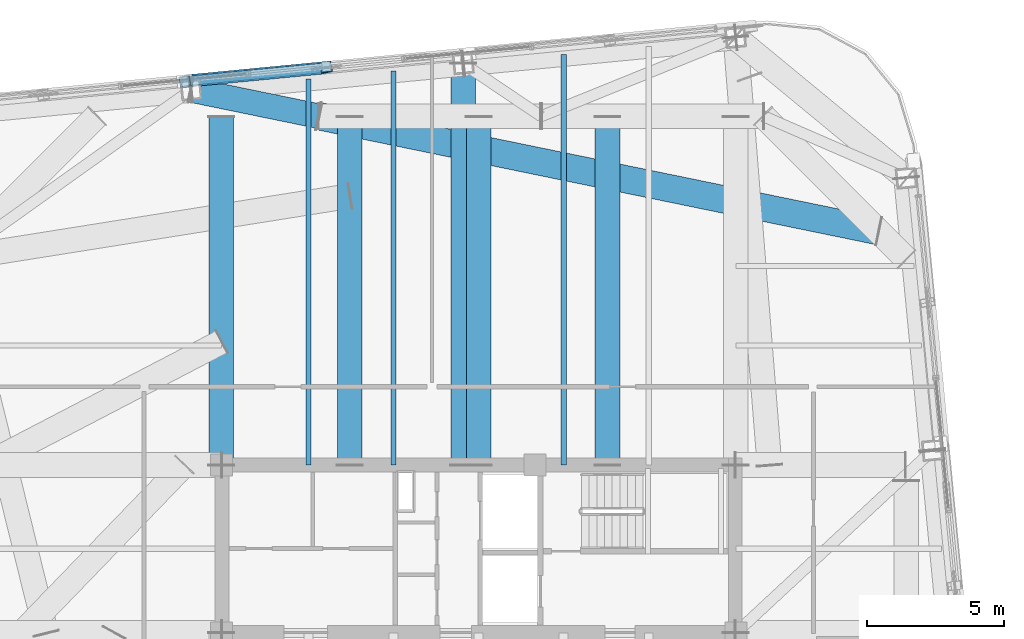
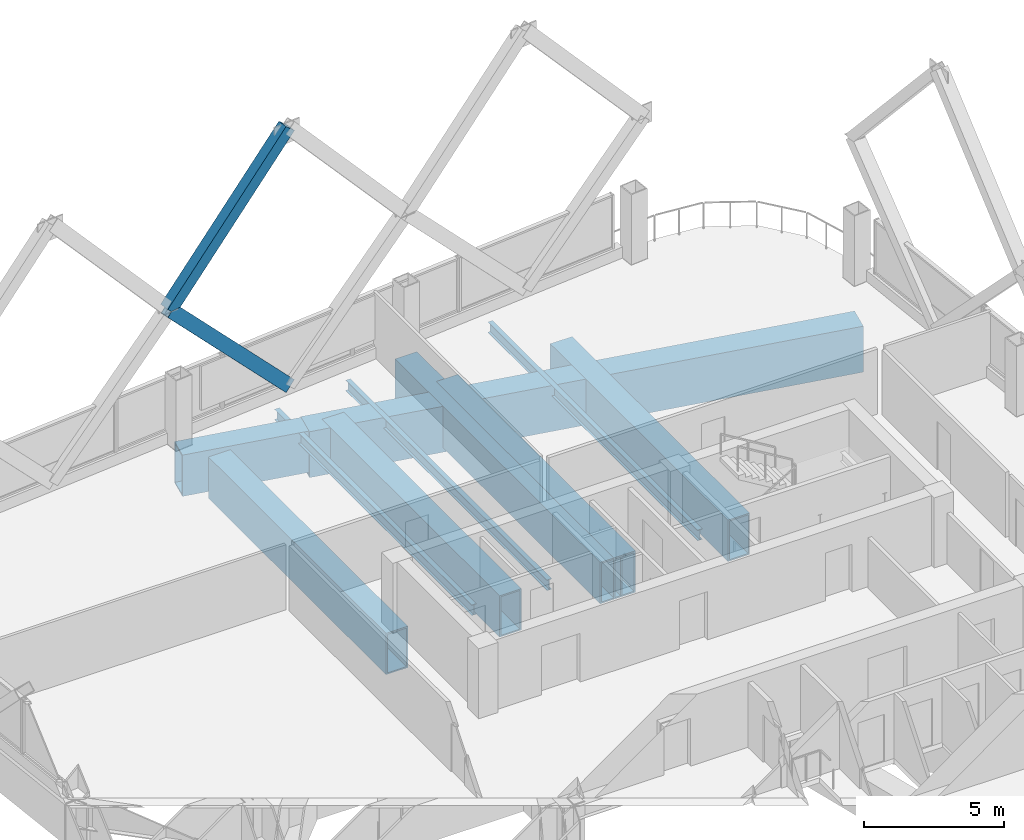
# One storey, part 23 of 37: 10 beams, 2 members.
"""IFC4 building model written with IfcOpenShell, lengths in metres."""

import ifcopenshell
import ifcopenshell.guid

model = None  # the IFC model being written
_history = None  # IfcOwnerHistory: only IFC2X3 demands one
_inside = {}  # id of a spatial element -> (the spatial element, [elements in it])
_under = {}  # id of a project, library or spatial element -> (it, [spatial elements below it])
_declared = {}  # id of a project -> (the project, [libraries it declares])
_typed = {}  # id of a type object -> (the type object, [elements of that type])
_made_of = {}  # id of a material, layer set ... -> (it, [elements and type objects made of it])


def new_model(schema):
    """Start an empty IFC model of exactly this schema.

    Asked for "IFC4X3", IfcOpenShell would pick the latest addendum, in which some entities
    have other attributes; the version numbers below select the first issue.
    IFC2X3 requires an IfcOwnerHistory on every rooted entity: one is made here for all.
    """
    global model, _history
    if schema == "IFC4X3":
        model = ifcopenshell.file(schema_version=(4, 3, 0, 0))
    else:
        model = ifcopenshell.file(schema=schema)
    _inside.clear()
    _under.clear()
    _declared.clear()
    _typed.clear()
    _made_of.clear()
    _history = None
    if model.schema == "IFC2X3":
        org = make("IfcOrganization", Name="unknown")
        user = make(
            "IfcPersonAndOrganization",
            ThePerson=make("IfcPerson", FamilyName="unknown"),
            TheOrganization=org,
        )
        app = make(
            "IfcApplication",
            ApplicationDeveloper=org,
            Version="unknown",
            ApplicationFullName="unknown",
            ApplicationIdentifier="unknown",
        )
        _history = make(
            "IfcOwnerHistory",
            OwningUser=user,
            OwningApplication=app,
            ChangeAction="ADDED",
            CreationDate=0,
        )
    return model


def make(cls, **values):
    """One entity of the class cls with the attributes given. An attribute that is None is left unset."""
    return model.create_entity(
        cls, **{name: value for name, value in values.items() if value is not None}
    )


def rooted(cls, **values):
    """An entity with a GlobalId (a new one), such as an element, a storey or a relation."""
    return make(cls, GlobalId=ifcopenshell.guid.new(), OwnerHistory=_history, **values)


def si_unit(unit_type, name, prefix=None):
    """IfcSIUnit, for example si_unit("LENGTHUNIT", "METRE", prefix="MILLI")."""
    return make("IfcSIUnit", UnitType=unit_type, Prefix=prefix, Name=name)


def assignment(units):
    """IfcUnitAssignment: the units of a project."""
    return None if units is None else make("IfcUnitAssignment", Units=units)


def point(xyz):
    """IfcCartesianPoint."""
    return None if xyz is None else make("IfcCartesianPoint", Coordinates=xyz)


def direction(xyz):
    """IfcDirection."""
    return None if xyz is None else make("IfcDirection", DirectionRatios=xyz)


def frame(location, z_axis=None, x_axis=None):
    """IfcAxis2Placement3D, a coordinate frame: its origin and axes. An axis left out is left unset."""
    return make(
        "IfcAxis2Placement3D",
        Location=point(location),
        Axis=direction(z_axis),
        RefDirection=direction(x_axis),
    )


def frame_2d(location, x_axis=None):
    """IfcAxis2Placement2D, a coordinate frame in the plane: its origin and x axis."""
    return make(
        "IfcAxis2Placement2D", Location=point(location), RefDirection=direction(x_axis)
    )


def origin():
    """The frame at (0, 0, 0) with its axes left unset."""
    return frame((0.0, 0.0, 0.0))


def origin_2d():
    """The frame at (0, 0) in the plane with its x axis left unset."""
    return frame_2d((0.0, 0.0))


def place(relative_to, where):
    """IfcLocalPlacement: puts the frame where relative to a parent placement (None: the world)."""
    return make(
        "IfcLocalPlacement", PlacementRelTo=relative_to, RelativePlacement=where
    )


def context(
    kind, dimensions, precision=None, world=None, true_north=None, identifier=None
):
    """IfcGeometricRepresentationContext, for example the 3D "Model" context."""
    return make(
        "IfcGeometricRepresentationContext",
        ContextIdentifier=identifier,
        ContextType=kind,
        CoordinateSpaceDimension=dimensions,
        Precision=precision,
        WorldCoordinateSystem=world,
        TrueNorth=true_north,
    )


def subcontext(parent, identifier, kind, view, scale=None):
    """IfcGeometricRepresentationSubContext, for example "Body" below "Model"."""
    return make(
        "IfcGeometricRepresentationSubContext",
        ContextIdentifier=identifier,
        ContextType=kind,
        ParentContext=parent,
        TargetScale=scale,
        TargetView=view,
    )


def project(units=None, contexts=None):
    """IfcProject with its units and contexts."""
    return rooted(
        "IfcProject",
        Name="project",
        RepresentationContexts=contexts,
        UnitsInContext=assignment(units),
    )


def spatial(cls, under=None, at=None, **own):
    """A site, building, storey or space (cls), placed at a placement, below another one or the project."""
    s = rooted(cls, ObjectPlacement=at, **own)
    if under is not None:
        _under.setdefault(under.id(), (under, []))[1].append(s)
    return s


def profile(cls, at=None, kind="AREA", **sizes):
    """A parametric profile (cls). Its sizes go by their IFC names, for example OverallWidth=200.0."""
    return make(cls, ProfileType=kind, Position=at, **sizes)


def hollow_rectangle(**sizes):
    """IfcRectangleHollowProfileDef."""
    return profile("IfcRectangleHollowProfileDef", **sizes)


def i_section(**sizes):
    """IfcIShapeProfileDef."""
    return profile("IfcIShapeProfileDef", **sizes)


def extrude(swept, where, along, depth):
    """IfcExtrudedAreaSolid: the profile swept, set in the frame where, extruded along a direction by depth."""
    return make(
        "IfcExtrudedAreaSolid",
        SweptArea=swept,
        Position=where,
        ExtrudedDirection=direction(along),
        Depth=depth,
    )


def shape(context_of_items, identifier, shape_type, items):
    """IfcShapeRepresentation: the items that make up one representation, for example the "Body"."""
    return make(
        "IfcShapeRepresentation",
        ContextOfItems=context_of_items,
        RepresentationIdentifier=identifier,
        RepresentationType=shape_type,
        Items=items,
    )


def material(Name=None, Category=None):
    """IfcMaterial."""
    return make("IfcMaterial", Name=Name, Category=Category)


def material_profile(
    of_material, cross_section, Name=None, Category=None, Priority=None
):
    """IfcMaterialProfile: a cross section and its material."""
    return make(
        "IfcMaterialProfile",
        Name=Name,
        Material=of_material,
        Profile=cross_section,
        Priority=Priority,
        Category=Category,
    )


def profile_set(profiles, Name=None, composite=None):
    """IfcMaterialProfileSet."""
    return make(
        "IfcMaterialProfileSet",
        Name=Name,
        MaterialProfiles=profiles,
        CompositeProfile=composite,
    )


def made_of(thing, what):
    """Note that an element or type object is made of a material, layer set ...; save() writes the relation."""
    if what is not None:
        _made_of.setdefault(what.id(), (what, []))[1].append(thing)
    return thing


def type_object(cls, material=None, **own):
    """A type object (cls), such as IfcWallType, which elements share."""
    return made_of(rooted(cls, **own), material)


def element(
    cls,
    number,
    at=None,
    inside=None,
    cuts=None,
    type_object=None,
    material=None,
    context=None,
    identifier="Body",
    shape_type=None,
    held_by="IfcProductDefinitionShape",
    body=None,
    shapes=None,
    **own,
):
    """One element of the class cls, such as IfcWall. Its Tag is "e" and its number.

    at: its placement. inside: the storey or other place that contains it. cuts: it is an
    opening in that element (IfcRelVoidsElement). A single representation is given by context,
    identifier, shape_type and body (its items); several are given by shapes. held_by: the class
    of the entity that holds the representations. save() writes the other relations.
    """
    e = rooted(cls, Tag="e%d" % number, ObjectPlacement=at, **own)
    if body is not None:
        shapes = [shape(context, identifier, shape_type, body)]
    if shapes is not None:
        e.Representation = make(held_by, Representations=shapes)
    if inside is not None:
        _inside.setdefault(inside.id(), (inside, []))[1].append(e)
    if cuts is not None:
        rooted(
            "IfcRelVoidsElement", RelatingBuildingElement=cuts, RelatedOpeningElement=e
        )
    if type_object is not None:
        _typed.setdefault(type_object.id(), (type_object, []))[1].append(e)
    return made_of(e, material)


def aggregate(whole, parts):
    """IfcRelAggregates: a whole, such as a stair, and the parts it consists of."""
    return rooted("IfcRelAggregates", RelatingObject=whole, RelatedObjects=parts)


def save(model, path):
    """Write the relations noted so far, then the file.

    IfcRelAggregates (storeys below a building ...), IfcRelContainedInSpatialStructure (elements
    in a storey), IfcRelDefinesByType, IfcRelAssociatesMaterial and IfcRelDeclares: one each for
    every whole, place, type object, material and project.
    """
    for whole, parts in _under.values():
        aggregate(whole, parts)
    for where, things in _inside.values():
        rooted(
            "IfcRelContainedInSpatialStructure",
            RelatedElements=things,
            RelatingStructure=where,
        )
    for kind, things in _typed.values():
        rooted("IfcRelDefinesByType", RelatedObjects=things, RelatingType=kind)
    for what, things in _made_of.values():
        rooted("IfcRelAssociatesMaterial", RelatedObjects=things, RelatingMaterial=what)
    for by, libraries in _declared.values():
        rooted("IfcRelDeclares", RelatingContext=by, RelatedDefinitions=libraries)
    model.write(path)


model = new_model("IFC4")

# Units and contexts
model_context = context("Model", 3, precision=1e-05, world=origin(), true_north=direction((0.0, 1.0)))
body_context = subcontext(model_context, "Body", "Model", "MODEL_VIEW")
ifc_project = project(units=[si_unit("LENGTHUNIT", "METRE"), si_unit("AREAUNIT", "SQUARE_METRE"), si_unit("VOLUMEUNIT", "CUBIC_METRE"), si_unit("PLANEANGLEUNIT", "RADIAN"), si_unit("MASSUNIT", "GRAM", prefix="KILO")], contexts=[model_context])

# Site, building, storey
site_placement = place(None, origin())
site = spatial("IfcSite", under=ifc_project, at=site_placement, CompositionType="ELEMENT")
building_placement = place(site_placement, origin())
building = spatial("IfcBuilding", under=site, at=building_placement, Name="Qhalaya Broadcast Tower", CompositionType="ELEMENT")
storey_placement = place(building_placement, frame((0.0, 0.0, 156.14990234375)))
storey = spatial("IfcBuildingStorey", under=building, at=storey_placement, Name="L45", CompositionType="ELEMENT", Elevation=156.14990234375)

# Beams
ifc_material_1 = material(Name="Structural Steel ASTM A572 Grade 50", Category="steel")
ifc_material_profile_1 = material_profile(ifc_material_1, hollow_rectangle(XDim=0.89990234375, YDim=1.800048828125, WallThickness=0.06005859375, at=origin_2d()), Name="BOX 900x1800x60")
ifc_profile_set_1 = profile_set([ifc_material_profile_1], Name="Structural Steel ASTM A572 Grade 50")
beam_type_1 = type_object("IfcBeamType", Name="Block Cantilever Transfer Box Girder TG1", PredefinedType="USERDEFINED", material=ifc_profile_set_1)
for number, where, z_axis, x_axis, name in (
    (1, (-9.375, 9.949951171875, -1.119873046875), (0.0, 1.0, 0.0), (-1.0, 0.0, 0.0), "L45 TG1 L45-TGINW-1"),
    (2, (0.0, 9.949951171875, -1.119873046875), (0.0, 1.0, 0.0), (-1.0, 0.0, 0.0), "L45 TG1 L45-TGIMN-1"),
    (3, (-4.699951171875, 9.949951171875, -1.119873046875), (0.0, 1.0, 0.0), (-1.0, 0.0, 0.0), "L45 TG1 L45-TGIMNW-1"),
    (4, (4.699951171875, 9.949951171875, -1.119873046875), (0.0, 1.0, 0.0), (-1.0, 0.0, 0.0), "L45 TG1 L45-TGIMNE-1"),
):
    element("IfcBeam", number, at=place(storey_placement, frame(where, z_axis=z_axis, x_axis=x_axis)), inside=storey, type_object=beam_type_1, Name=name, ObjectType="GIRDER", PredefinedType="USERDEFINED", context=body_context, shape_type="SweptSolid", body=[
        extrude(hollow_rectangle(XDim=0.89990234375, YDim=1.800048828125, WallThickness=0.06005859375, at=origin_2d()), origin(), (0.0, 0.0, 1.0), 12.670166015625),
    ])
beam_1_placement = place(storey_placement, frame((-0.558837890625, 9.949951171875, -1.119873046875), z_axis=(0.0, 1.0, 0.0), x_axis=(-1.0, 0.0, 0.0)))
element("IfcBeam", 5, at=beam_1_placement, inside=storey, type_object=beam_type_1, Name="L45 Continuous Cantilever Transfer Box Girder 10", ObjectType="GIRDER", PredefinedType="USERDEFINED", context=body_context, shape_type="SweptSolid", body=[
    extrude(hollow_rectangle(XDim=0.89990234375, YDim=1.800048828125, WallThickness=0.06005859375, at=origin_2d()), origin(), (0.0, 0.0, 1.0), 14.62255859375),
])
beam_2_placement = place(storey_placement, frame((-5.820068359375, 22.659912109375, -1.119873046875), z_axis=(-0.979540740128, 0.201245965001, 0.0), x_axis=(-0.201245965001, -0.979540740128, 0.0)))
element("IfcBeam", 6, at=beam_2_placement, inside=storey, type_object=beam_type_1, Name="L45 Cantilever Transfer Box Girder 11", ObjectType="GIRDER", PredefinedType="USERDEFINED", context=body_context, shape_type="SweptSolid", body=[
    extrude(hollow_rectangle(XDim=0.89990234375, YDim=1.800048828125, WallThickness=0.06005859375, at=origin_2d()), origin(), (0.0, 0.0, 1.0), 4.7568359375),
])
ifc_material_2 = material(Name="Structural Steel ASTM A992 Grade 50", Category="steel")
ifc_material_profile_2 = material_profile(ifc_material_2, i_section(OverallWidth=0.19189453125, OverallDepth=0.462890625, WebThickness=0.010498046875, FlangeThickness=0.017578125, at=origin_2d()), Name="W18X60")
ifc_profile_set_2 = profile_set([ifc_material_profile_2], Name="Structural Steel ASTM A992 Grade 50")
beam_type_2 = type_object("IfcBeamType", Name="Composite Floor Joist J03", PredefinedType="JOIST", material=ifc_profile_set_2)
beam_3_placement = place(storey_placement, frame((-6.199951171875, 9.949951171875, -0.451416015625), z_axis=(0.0, 1.0, 0.0), x_axis=(-1.0, 0.0, 0.0)))
element("IfcBeam", 7, at=beam_3_placement, inside=storey, type_object=beam_type_2, Name="L45 J03 L45-JNN1-1", PredefinedType="JOIST", context=body_context, shape_type="SweptSolid", body=[
    extrude(i_section(OverallWidth=0.19189453125, OverallDepth=0.462890625, WebThickness=0.010498046875, FlangeThickness=0.017578125, at=origin_2d()), origin(), (0.0, 0.0, 1.0), 14.059326171875),
])
beam_4_placement = place(storey_placement, frame((-3.10009765625, 9.949951171875, -0.451416015625), z_axis=(0.0, 1.0, 0.0), x_axis=(-1.0, 0.0, 0.0)))
element("IfcBeam", 8, at=beam_4_placement, inside=storey, type_object=beam_type_2, Name="L45 J03 L45-JNN2-1", PredefinedType="JOIST", context=body_context, shape_type="SweptSolid", body=[
    extrude(i_section(OverallWidth=0.19189453125, OverallDepth=0.462890625, WebThickness=0.010498046875, FlangeThickness=0.017578125, at=origin_2d()), origin(), (0.0, 0.0, 1.0), 14.35791015625),
])
beam_5_placement = place(storey_placement, frame((3.10009765625, 9.949951171875, -0.451416015625), z_axis=(0.0, 1.0, 0.0), x_axis=(-1.0, 0.0, 0.0)))
element("IfcBeam", 9, at=beam_5_placement, inside=storey, type_object=beam_type_2, Name="L45 J03 L45-JNN4-1", PredefinedType="JOIST", context=body_context, shape_type="SweptSolid", body=[
    extrude(i_section(OverallWidth=0.19189453125, OverallDepth=0.462890625, WebThickness=0.010498046875, FlangeThickness=0.017578125, at=origin_2d()), origin(), (0.0, 0.0, 1.0), 14.954833984375),
])

# Members
ifc_material_profile_3 = material_profile(ifc_material_1, hollow_rectangle(XDim=0.39990234375, YDim=0.550048828125, WallThickness=0.02490234375, at=origin_2d()), Name="BOX 400x550x25")
ifc_profile_set_3 = profile_set([ifc_material_profile_3], Name="Structural Steel ASTM A572 Grade 50")
member_type = type_object("IfcMemberType", Name="Exoskeleton Diamond Diagonal Mid-High EX3", PredefinedType="BRACE", material=ifc_profile_set_3)
member_1_placement = place(storey_placement, frame((-5.5517578125, 24.433349609375, 0.360107421875), z_axis=(-0.690631901239, -0.066504325889, 0.720142174594), x_axis=(0.164115000923, -0.984197121098, 0.066500325516)))
element("IfcMember", 10, at=member_1_placement, inside=storey, type_object=member_type, Name="B4 Exoskeleton Diamond Brace N2-D2", PredefinedType="BRACE", context=body_context, shape_type="SweptSolid", body=[
    extrude(hollow_rectangle(XDim=0.39990234375, YDim=0.550048828125, WallThickness=0.02490234375, at=origin_2d()), origin(), (0.0, 0.0, 1.0), 7.470703125),
])
member_2_placement = place(storey_placement, frame((-10.711181640625, 23.9365234375, 5.739990234375), z_axis=(0.659476642868, 0.06350423358, 0.749037896123), x_axis=(-0.166871781183, 0.983931657235, 0.063500413668)))
element("IfcMember", 11, at=member_2_placement, inside=storey, type_object=member_type, Name="B4 Exoskeleton Diamond Brace N2-D4", PredefinedType="BRACE", context=body_context, shape_type="SweptSolid", body=[
    extrude(hollow_rectangle(XDim=0.39990234375, YDim=0.550048828125, WallThickness=0.02490234375, at=origin_2d()), origin(), (0.0, 0.0, 1.0), 7.823486328125),
])

# Beam
ifc_material_profile_4 = material_profile(ifc_material_1, hollow_rectangle(XDim=1.0, YDim=2.0, WallThickness=0.06494140625, at=origin_2d()), Name="BOX 1000x2000x65")
ifc_profile_set_4 = profile_set([ifc_material_profile_4], Name="Structural Steel ASTM A572 Grade 50")
beam_type_3 = type_object("IfcBeamType", Name="Podium Soundstage Transfer Box Girder TG0", PredefinedType="USERDEFINED", material=ifc_profile_set_4)
beam_6_placement = place(storey_placement, frame((14.56884765625, 18.47119140625, -1.219970703125), z_axis=(-0.979542330567, 0.201238223576, 0.0), x_axis=(-0.201238223576, -0.979542330567, 0.0)))
element("IfcBeam", 12, at=beam_6_placement, inside=storey, type_object=beam_type_3, Name="L45 Collinear Back-Span Transfer Box Girder 11", ObjectType="GIRDER", PredefinedType="USERDEFINED", context=body_context, shape_type="SweptSolid", body=[
    extrude(hollow_rectangle(XDim=1.0, YDim=2.0, WallThickness=0.06494140625, at=origin_2d()), origin(), (0.0, 0.0, 1.0), 20.814697265625),
])

save(model, "model.ifc")
